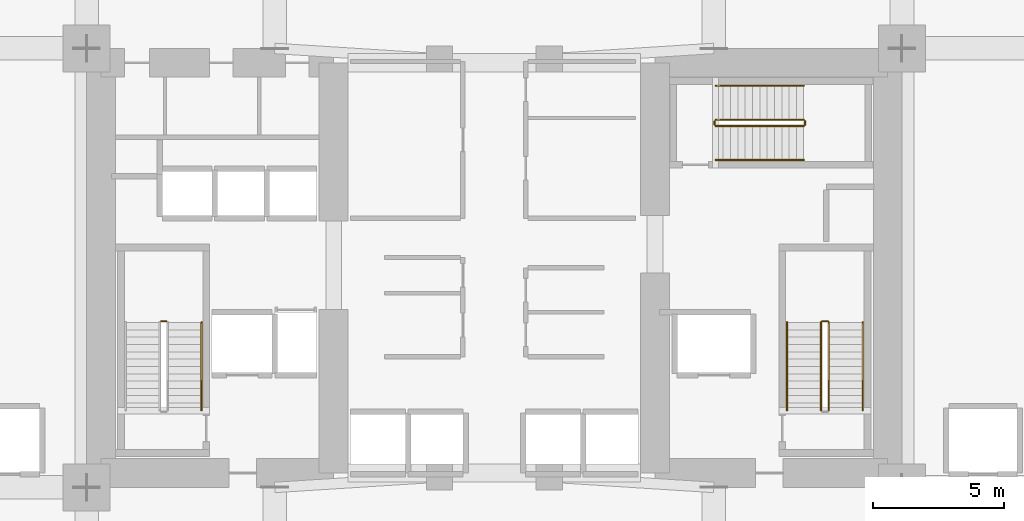
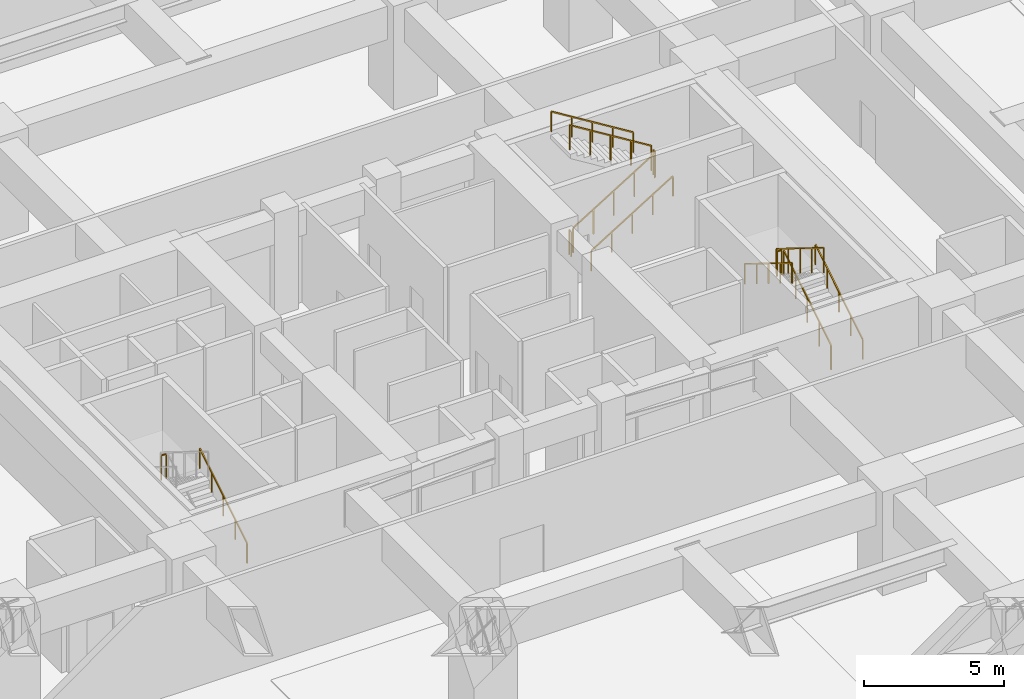
# One storey, part 24 of 25: 13 railings.
"""IFC4 building model written with IfcOpenShell, lengths in metres."""

from ifc_helpers import new_model, si_unit, direction, frame, origin, origin_2d, place, context, subcontext, project, spatial, rectangle, extrude, material, type_object, element, save


model = new_model("IFC4")

# Units and contexts
model_context = context("Model", 3, precision=1e-05, world=origin(), true_north=direction((0.0, 1.0)))
body_context = subcontext(model_context, "Body", "Model", "MODEL_VIEW")
ifc_project = project(units=[si_unit("LENGTHUNIT", "METRE"), si_unit("AREAUNIT", "SQUARE_METRE"), si_unit("VOLUMEUNIT", "CUBIC_METRE"), si_unit("PLANEANGLEUNIT", "RADIAN"), si_unit("MASSUNIT", "GRAM", prefix="KILO")], contexts=[model_context])

# Site, building, storey
site_placement = place(None, origin())
site = spatial("IfcSite", under=ifc_project, at=site_placement, CompositionType="ELEMENT")
building_placement = place(site_placement, origin())
building = spatial("IfcBuilding", under=site, at=building_placement, Name="Kiyonajd Concourse Tower", CompositionType="ELEMENT")
storey_placement = place(building_placement, frame((0.0, 0.0, 17.10009765625)))
storey = spatial("IfcBuildingStorey", under=building, at=storey_placement, Name="L05", CompositionType="ELEMENT", Elevation=17.10009765625)

# Railings
ifc_material_1 = material(Name="Steel ASTM A500 Grade C", Category="steel")
railing_type_1 = type_object("IfcRailingType", Name="RL-GRD-STR", PredefinedType="GUARDRAIL", material=ifc_material_1)
railing_1_placement = place(storey_placement, frame((35.449951171875, 33.9599609375, 2.25)))
element("IfcRailing", 1, at=railing_1_placement, inside=storey, type_object=railing_type_1, Name="L05 ST1 stair guard 2", PredefinedType="GUARDRAIL", context=body_context, shape_type="SweptSolid", body=[
    extrude(rectangle(XDim=0.048095703125, YDim=0.048095703125, at=origin_2d()), frame((0.0, 0.0, 1.076171875), z_axis=(-1.0, 0.0, 0.0), x_axis=(0.0, -1.0, 0.0)), (0.0, 0.0, 1.0), 0.199951171875),
    extrude(rectangle(XDim=0.0419921875, YDim=0.0419921875, at=origin_2d()), origin(), (0.0, 0.0, 1.0), 1.052001953125),
    extrude(rectangle(XDim=0.0419921875, YDim=0.0419921875, at=origin_2d()), frame((-0.199951171875, 0.0, 0.0)), (0.0, 0.0, 1.0), 1.052001953125),
])
railing_2_placement = place(storey_placement, frame((60.800048828125, 30.550048828125, 0.173095703125)))
element("IfcRailing", 2, at=railing_2_placement, inside=storey, type_object=railing_type_1, Name="L05 ST2 stair guard 1", PredefinedType="GUARDRAIL", context=body_context, shape_type="SweptSolid", body=[
    extrude(rectangle(XDim=0.048095703125, YDim=0.048095703125, at=origin_2d()), frame((0.0, 0.0, 1.076171875), z_axis=(0.0, 0.850606129759, 0.525803396734), x_axis=(-1.0, 0.0, 0.0)), (0.0, 0.0, 1.0), 3.949951171875),
    extrude(rectangle(XDim=0.0419921875, YDim=0.0419921875, at=origin_2d()), origin(), (0.0, 0.0, 1.0), 1.052001953125),
    extrude(rectangle(XDim=0.0419921875, YDim=0.0419921875, at=origin_2d()), frame((0.0, 0.83984375, 0.519287109375)), (0.0, 0.0, 1.0), 1.052001953125),
    extrude(rectangle(XDim=0.0419921875, YDim=0.0419921875, at=origin_2d()), frame((0.0, 1.679931640625, 1.03857421875)), (0.0, 0.0, 1.0), 1.052001953125),
    extrude(rectangle(XDim=0.0419921875, YDim=0.0419921875, at=origin_2d()), frame((0.0, 2.52001953125, 1.5576171875)), (0.0, 0.0, 1.0), 1.052001953125),
    extrude(rectangle(XDim=0.0419921875, YDim=0.0419921875, at=origin_2d()), frame((0.0, 3.35986328125, 2.076904296875)), (0.0, 0.0, 1.0), 1.052001953125),
])
railing_3_placement = place(storey_placement, frame((60.75, 33.9599609375, 2.25)))
element("IfcRailing", 3, at=railing_3_placement, inside=storey, type_object=railing_type_1, Name="L05 ST2 stair guard 2", PredefinedType="GUARDRAIL", context=body_context, shape_type="SweptSolid", body=[
    extrude(rectangle(XDim=0.048095703125, YDim=0.048095703125, at=origin_2d()), frame((0.0, 0.0, 1.076171875), z_axis=(-1.0, 0.0, 0.0), x_axis=(0.0, -1.0, 0.0)), (0.0, 0.0, 1.0), 0.199951171875),
    extrude(rectangle(XDim=0.0419921875, YDim=0.0419921875, at=origin_2d()), origin(), (0.0, 0.0, 1.0), 1.052001953125),
    extrude(rectangle(XDim=0.0419921875, YDim=0.0419921875, at=origin_2d()), frame((-0.199951171875, 0.0, 0.0)), (0.0, 0.0, 1.0), 1.052001953125),
])
railing_4_placement = place(storey_placement, frame((60.5, 33.909912109375, 2.423095703125)))
element("IfcRailing", 4, at=railing_4_placement, inside=storey, type_object=railing_type_1, Name="L05 ST2 stair guard 3", PredefinedType="GUARDRAIL", context=body_context, shape_type="SweptSolid", body=[
    extrude(rectangle(XDim=0.048095703125, YDim=0.048095703125, at=origin_2d()), frame((0.0, 0.0, 1.076171875), z_axis=(0.0, -0.850606129759, 0.525803396734), x_axis=(1.0, 0.0, 0.0)), (0.0, 0.0, 1.0), 3.949951171875),
    extrude(rectangle(XDim=0.0419921875, YDim=0.0419921875, at=origin_2d()), origin(), (0.0, 0.0, 1.0), 1.052001953125),
    extrude(rectangle(XDim=0.0419921875, YDim=0.0419921875, at=origin_2d()), frame((0.0, -0.83984375, 0.519287109375)), (0.0, 0.0, 1.0), 1.052001953125),
    extrude(rectangle(XDim=0.0419921875, YDim=0.0419921875, at=origin_2d()), frame((0.0, -1.679931640625, 1.03857421875)), (0.0, 0.0, 1.0), 1.052001953125),
    extrude(rectangle(XDim=0.0419921875, YDim=0.0419921875, at=origin_2d()), frame((0.0, -2.52001953125, 1.5576171875)), (0.0, 0.0, 1.0), 1.052001953125),
    extrude(rectangle(XDim=0.0419921875, YDim=0.0419921875, at=origin_2d()), frame((0.0, -3.35986328125, 2.076904296875)), (0.0, 0.0, 1.0), 1.052001953125),
])
railing_5_placement = place(storey_placement, frame((56.47998046875, 41.429931640625, 0.173095703125)))
element("IfcRailing", 5, at=railing_5_placement, inside=storey, type_object=railing_type_1, Name="L05 ST3 stair guard 1", PredefinedType="GUARDRAIL", context=body_context, shape_type="SweptSolid", body=[
    extrude(rectangle(XDim=0.048095703125, YDim=0.048095703125, at=origin_2d()), frame((0.0, 0.0, 1.076171875), z_axis=(0.850623216509, 0.0, 0.525775754039), x_axis=(0.0, 1.0, 0.0)), (0.0, 0.0, 1.0), 3.9501953125),
    extrude(rectangle(XDim=0.0419921875, YDim=0.0419921875, at=origin_2d()), origin(), (0.0, 0.0, 1.0), 1.052001953125),
    extrude(rectangle(XDim=0.0419921875, YDim=0.0419921875, at=origin_2d()), frame((0.840087890625, 0.0, 0.519287109375)), (0.0, 0.0, 1.0), 1.052001953125),
    extrude(rectangle(XDim=0.0419921875, YDim=0.0419921875, at=origin_2d()), frame((1.68017578125, 0.0, 1.03857421875)), (0.0, 0.0, 1.0), 1.052001953125),
    extrude(rectangle(XDim=0.0419921875, YDim=0.0419921875, at=origin_2d()), frame((2.52001953125, 0.0, 1.5576171875)), (0.0, 0.0, 1.0), 1.052001953125),
    extrude(rectangle(XDim=0.0419921875, YDim=0.0419921875, at=origin_2d()), frame((3.360107421875, 0.0, 2.076904296875)), (0.0, 0.0, 1.0), 1.052001953125),
])
railing_6_placement = place(storey_placement, frame((59.889892578125, 41.47998046875, 2.25)))
element("IfcRailing", 6, at=railing_6_placement, inside=storey, type_object=railing_type_1, Name="L05 ST3 stair guard 2", PredefinedType="GUARDRAIL", context=body_context, shape_type="SweptSolid", body=[
    extrude(rectangle(XDim=0.048095703125, YDim=0.048095703125, at=origin_2d()), frame((0.0, 0.0, 1.076171875), z_axis=(0.0, 1.0, 0.0), x_axis=(-1.0, 0.0, 0.0)), (0.0, 0.0, 1.0), 0.14013671875),
    extrude(rectangle(XDim=0.0419921875, YDim=0.0419921875, at=origin_2d()), origin(), (0.0, 0.0, 1.0), 1.052001953125),
    extrude(rectangle(XDim=0.0419921875, YDim=0.0419921875, at=origin_2d()), frame((0.0, 0.14013671875, 0.0)), (0.0, 0.0, 1.0), 1.052001953125),
])
railing_7_placement = place(storey_placement, frame((59.840087890625, 41.669921875, 2.423095703125)))
element("IfcRailing", 7, at=railing_7_placement, inside=storey, type_object=railing_type_1, Name="L05 ST3 stair guard 3", PredefinedType="GUARDRAIL", context=body_context, shape_type="SweptSolid", body=[
    extrude(rectangle(XDim=0.048095703125, YDim=0.048095703125, at=origin_2d()), frame((0.0, 0.0, 1.076171875), z_axis=(-0.850623216509, 0.0, 0.525775754039), x_axis=(0.0, -1.0, 0.0)), (0.0, 0.0, 1.0), 3.9501953125),
    extrude(rectangle(XDim=0.0419921875, YDim=0.0419921875, at=origin_2d()), origin(), (0.0, 0.0, 1.0), 1.052001953125),
    extrude(rectangle(XDim=0.0419921875, YDim=0.0419921875, at=origin_2d()), frame((-0.840087890625, 0.0, 0.519287109375)), (0.0, 0.0, 1.0), 1.052001953125),
    extrude(rectangle(XDim=0.0419921875, YDim=0.0419921875, at=origin_2d()), frame((-1.68017578125, 0.0, 1.03857421875)), (0.0, 0.0, 1.0), 1.052001953125),
    extrude(rectangle(XDim=0.0419921875, YDim=0.0419921875, at=origin_2d()), frame((-2.52001953125, 0.0, 1.5576171875)), (0.0, 0.0, 1.0), 1.052001953125),
    extrude(rectangle(XDim=0.0419921875, YDim=0.0419921875, at=origin_2d()), frame((-3.360107421875, 0.0, 2.076904296875)), (0.0, 0.0, 1.0), 1.052001953125),
])
railing_8_placement = place(storey_placement, frame((56.429931640625, 41.47998046875, 0.0)))
element("IfcRailing", 8, at=railing_8_placement, inside=storey, type_object=railing_type_1, Name="L05 ST3 stair guard 4", PredefinedType="GUARDRAIL", context=body_context, shape_type="SweptSolid", body=[
    extrude(rectangle(XDim=0.048095703125, YDim=0.048095703125, at=origin_2d()), frame((0.0, 0.0, 1.076171875), z_axis=(0.0, 1.0, 0.0), x_axis=(-1.0, 0.0, 0.0)), (0.0, 0.0, 1.0), 0.14013671875),
    extrude(rectangle(XDim=0.0419921875, YDim=0.0419921875, at=origin_2d()), origin(), (0.0, 0.0, 1.0), 1.052001953125),
    extrude(rectangle(XDim=0.0419921875, YDim=0.0419921875, at=origin_2d()), frame((0.0, 0.14013671875, 0.0)), (0.0, 0.0, 1.0), 1.052001953125),
])
ifc_material_2 = material(Name="Brushed Stainless Steel Cab Assembly", Category="steel")
railing_type_2 = type_object("IfcRailingType", Name="RL-HND-900", PredefinedType="HANDRAIL", material=ifc_material_2)
for number, where, name in (
    (9, (36.800048828125, 30.550048828125, 0.173095703125), "L05 ST1 stair handrail 1"),
    (10, (62.10009765625, 30.550048828125, 0.173095703125), "L05 ST2 stair handrail 1"),
):
    element("IfcRailing", number, at=place(storey_placement, frame(where)), inside=storey, type_object=railing_type_2, Name=name, PredefinedType="HANDRAIL", context=body_context, shape_type="SweptSolid", body=[
        extrude(rectangle(XDim=0.048095703125, YDim=0.048095703125, at=origin_2d()), frame((0.0, 0.0, 0.8759765625), z_axis=(0.0, 0.850606129759, 0.525803396734), x_axis=(-1.0, 0.0, 0.0)), (0.0, 0.0, 1.0), 3.949951171875),
        extrude(rectangle(XDim=0.0419921875, YDim=0.0419921875, at=origin_2d()), origin(), (0.0, 0.0, 1.0), 0.851806640625),
        extrude(rectangle(XDim=0.0419921875, YDim=0.0419921875, at=origin_2d()), frame((0.0, 0.83984375, 0.519287109375)), (0.0, 0.0, 1.0), 0.851806640625),
        extrude(rectangle(XDim=0.0419921875, YDim=0.0419921875, at=origin_2d()), frame((0.0, 1.679931640625, 1.03857421875)), (0.0, 0.0, 1.0), 0.851806640625),
        extrude(rectangle(XDim=0.0419921875, YDim=0.0419921875, at=origin_2d()), frame((0.0, 2.52001953125, 1.5576171875)), (0.0, 0.0, 1.0), 0.851806640625),
        extrude(rectangle(XDim=0.0419921875, YDim=0.0419921875, at=origin_2d()), frame((0.0, 3.35986328125, 2.076904296875)), (0.0, 0.0, 1.0), 0.851806640625),
    ])
railing_9_placement = place(storey_placement, frame((59.199951171875, 33.909912109375, 2.423095703125)))
element("IfcRailing", 11, at=railing_9_placement, inside=storey, type_object=railing_type_2, Name="L05 ST2 stair handrail 2", PredefinedType="HANDRAIL", context=body_context, shape_type="SweptSolid", body=[
    extrude(rectangle(XDim=0.048095703125, YDim=0.048095703125, at=origin_2d()), frame((0.0, 0.0, 0.8759765625), z_axis=(0.0, -0.850606129759, 0.525803396734), x_axis=(1.0, 0.0, 0.0)), (0.0, 0.0, 1.0), 3.949951171875),
    extrude(rectangle(XDim=0.0419921875, YDim=0.0419921875, at=origin_2d()), origin(), (0.0, 0.0, 1.0), 0.851806640625),
    extrude(rectangle(XDim=0.0419921875, YDim=0.0419921875, at=origin_2d()), frame((0.0, -0.83984375, 0.519287109375)), (0.0, 0.0, 1.0), 0.851806640625),
    extrude(rectangle(XDim=0.0419921875, YDim=0.0419921875, at=origin_2d()), frame((0.0, -1.679931640625, 1.03857421875)), (0.0, 0.0, 1.0), 0.851806640625),
    extrude(rectangle(XDim=0.0419921875, YDim=0.0419921875, at=origin_2d()), frame((0.0, -2.52001953125, 1.5576171875)), (0.0, 0.0, 1.0), 0.851806640625),
    extrude(rectangle(XDim=0.0419921875, YDim=0.0419921875, at=origin_2d()), frame((0.0, -3.35986328125, 2.076904296875)), (0.0, 0.0, 1.0), 0.851806640625),
])
railing_10_placement = place(storey_placement, frame((56.47998046875, 40.1298828125, 0.173095703125)))
element("IfcRailing", 12, at=railing_10_placement, inside=storey, type_object=railing_type_2, Name="L05 ST3 stair handrail 1", PredefinedType="HANDRAIL", context=body_context, shape_type="SweptSolid", body=[
    extrude(rectangle(XDim=0.048095703125, YDim=0.048095703125, at=origin_2d()), frame((0.0, 0.0, 0.8759765625), z_axis=(0.850623216509, 0.0, 0.525775754039), x_axis=(0.0, 1.0, 0.0)), (0.0, 0.0, 1.0), 3.9501953125),
    extrude(rectangle(XDim=0.0419921875, YDim=0.0419921875, at=origin_2d()), origin(), (0.0, 0.0, 1.0), 0.851806640625),
    extrude(rectangle(XDim=0.0419921875, YDim=0.0419921875, at=origin_2d()), frame((0.840087890625, 0.0, 0.519287109375)), (0.0, 0.0, 1.0), 0.851806640625),
    extrude(rectangle(XDim=0.0419921875, YDim=0.0419921875, at=origin_2d()), frame((1.68017578125, 0.0, 1.03857421875)), (0.0, 0.0, 1.0), 0.851806640625),
    extrude(rectangle(XDim=0.0419921875, YDim=0.0419921875, at=origin_2d()), frame((2.52001953125, 0.0, 1.5576171875)), (0.0, 0.0, 1.0), 0.851806640625),
    extrude(rectangle(XDim=0.0419921875, YDim=0.0419921875, at=origin_2d()), frame((3.360107421875, 0.0, 2.076904296875)), (0.0, 0.0, 1.0), 0.851806640625),
])
railing_11_placement = place(storey_placement, frame((59.840087890625, 42.969970703125, 2.423095703125)))
element("IfcRailing", 13, at=railing_11_placement, inside=storey, type_object=railing_type_2, Name="L05 ST3 stair handrail 2", PredefinedType="HANDRAIL", context=body_context, shape_type="SweptSolid", body=[
    extrude(rectangle(XDim=0.048095703125, YDim=0.048095703125, at=origin_2d()), frame((0.0, 0.0, 0.8759765625), z_axis=(-0.850623216509, 0.0, 0.525775754039), x_axis=(0.0, -1.0, 0.0)), (0.0, 0.0, 1.0), 3.9501953125),
    extrude(rectangle(XDim=0.0419921875, YDim=0.0419921875, at=origin_2d()), origin(), (0.0, 0.0, 1.0), 0.851806640625),
    extrude(rectangle(XDim=0.0419921875, YDim=0.0419921875, at=origin_2d()), frame((-0.840087890625, 0.0, 0.519287109375)), (0.0, 0.0, 1.0), 0.851806640625),
    extrude(rectangle(XDim=0.0419921875, YDim=0.0419921875, at=origin_2d()), frame((-1.68017578125, 0.0, 1.03857421875)), (0.0, 0.0, 1.0), 0.851806640625),
    extrude(rectangle(XDim=0.0419921875, YDim=0.0419921875, at=origin_2d()), frame((-2.52001953125, 0.0, 1.5576171875)), (0.0, 0.0, 1.0), 0.851806640625),
    extrude(rectangle(XDim=0.0419921875, YDim=0.0419921875, at=origin_2d()), frame((-3.360107421875, 0.0, 2.076904296875)), (0.0, 0.0, 1.0), 0.851806640625),
])

save(model, "model.ifc")
